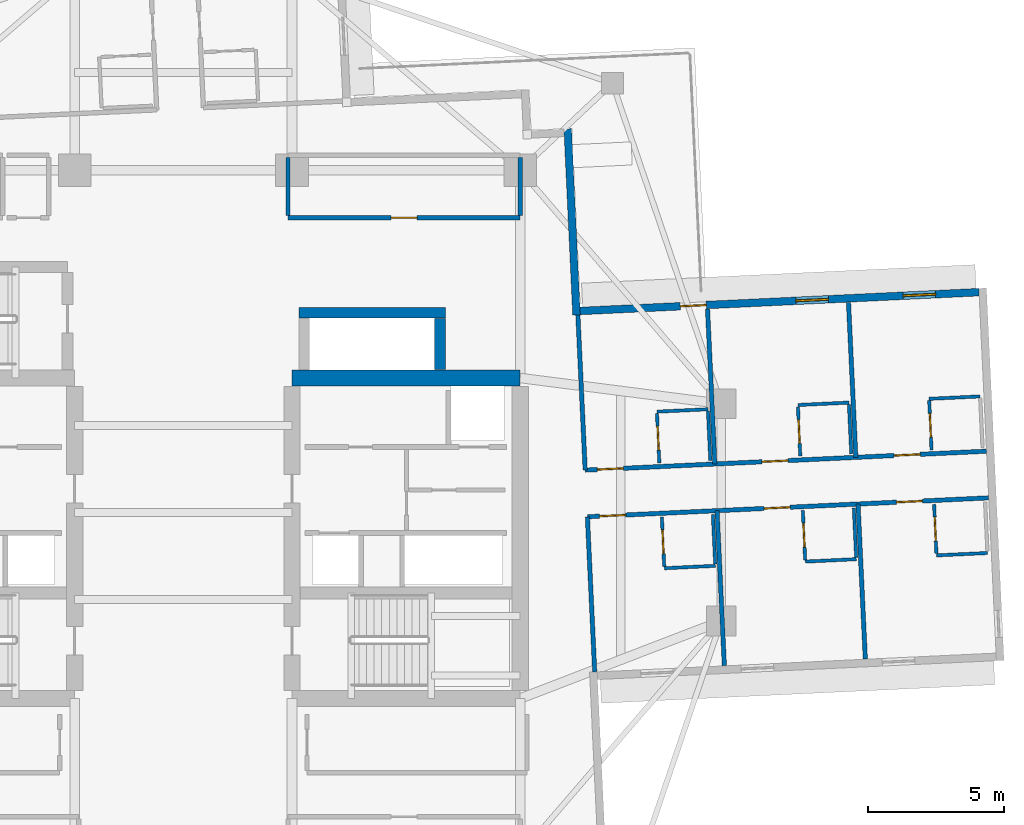
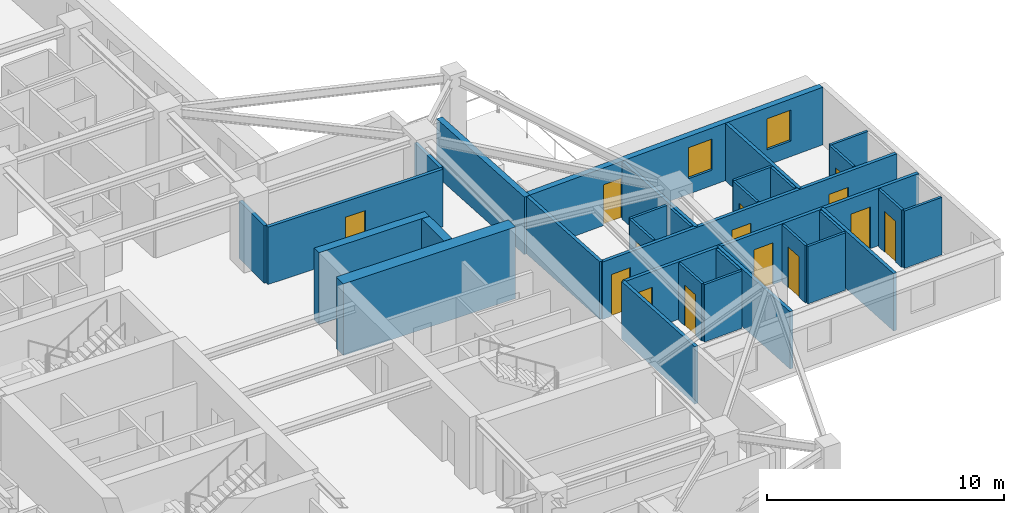
# One storey, part 7 of 14: 32 walls, 14 doors, 2 windows, 16 openings.
"""IFC4 building model written with IfcOpenShell, lengths in metres."""

from ifc_helpers import new_model, si_unit, direction, frame, frame_2d, origin, place, context, subcontext, project, spatial, rectangle, extrude, material, layer, layer_set, type_object, element, fill, save


model = new_model("IFC4")

# Units and contexts
model_context = context("Model", 3, precision=1e-05, world=origin(), true_north=direction((0.0, 1.0)))
body_context = subcontext(model_context, "Body", "Model", "MODEL_VIEW")
ifc_project = project(units=[si_unit("LENGTHUNIT", "METRE"), si_unit("AREAUNIT", "SQUARE_METRE"), si_unit("VOLUMEUNIT", "CUBIC_METRE"), si_unit("PLANEANGLEUNIT", "RADIAN"), si_unit("MASSUNIT", "GRAM", prefix="KILO")], contexts=[model_context])

# Site, building, storey
site_placement = place(None, origin())
site = spatial("IfcSite", under=ifc_project, at=site_placement, CompositionType="ELEMENT")
building_placement = place(site_placement, origin())
building = spatial("IfcBuilding", under=site, at=building_placement, Name="Qingluan Cross Belvedere", CompositionType="ELEMENT")
storey_placement = place(building_placement, frame((0.0, 0.0, 132.0)))
storey = spatial("IfcBuildingStorey", under=building, at=storey_placement, Name="L33", CompositionType="ELEMENT", Elevation=132.0)

# Walls
ifc_material_1 = material(Name="Concrete C50", Category="concrete")
ifc_layer_1 = layer(ifc_material_1, 0.449951171875, Name="CoreShearWall_450")
ifc_layer_set_1 = layer_set([ifc_layer_1], Name="Concrete C50")
wall_type_1 = type_object("IfcWallType", Name="CoreShearWall_450", PredefinedType="SHEAR", material=ifc_layer_set_1)
wall_1_placement = place(storey_placement, frame((4.25, 7.35009765625, 0.0), z_axis=(0.0, 0.0, 1.0), x_axis=(1.0, 0.0, 0.0)))
element("IfcWall", 1, at=wall_1_placement, inside=storey, type_object=wall_type_1, Name="Express shuttle core wall L33-N", PredefinedType="SHEAR", context=body_context, shape_type="SweptSolid", body=[
    extrude(rectangle(XDim=5.39990234375, YDim=0.39990234375, at=frame_2d((2.699951171875, 0.0))), origin(), (0.0, 0.0, 1.0), 3.699951171875),
])
wall_2_placement = place(storey_placement, frame((9.449951171875, 5.2548828125, 0.0), z_axis=(0.0, 0.0, 1.0), x_axis=(0.0, 1.0, 0.0)))
element("IfcWall", 2, at=wall_2_placement, inside=storey, type_object=wall_type_1, Name="Express shuttle core wall L33-E", PredefinedType="SHEAR", context=body_context, shape_type="SweptSolid", body=[
    extrude(rectangle(XDim=1.885009765625, YDim=0.39990234375, at=frame_2d((0.9423828125, 0.0))), origin(), (0.0, 0.0, 1.0), 3.699951171875),
])
ifc_material_2 = material(Name="Concrete C60", Category="concrete")
ifc_layer_2 = layer(ifc_material_2, 0.60009765625, Name="CoreShearWall_600")
ifc_layer_set_2 = layer_set([ifc_layer_2], Name="Concrete C60")
wall_type_2 = type_object("IfcWallType", Name="CoreShearWall_600", PredefinedType="SHEAR", material=ifc_layer_set_2)
wall_3_placement = place(storey_placement, frame((4.0, 4.949951171875, 0.0), z_axis=(0.0, 0.0, 1.0), x_axis=(1.0, 0.0, 0.0)))
element("IfcWall", 3, at=wall_3_placement, inside=storey, type_object=wall_type_2, Name="Split core E shear wall L33-N", PredefinedType="SHEAR", context=body_context, shape_type="SweptSolid", body=[
    extrude(rectangle(XDim=8.39990234375, YDim=0.60009765625, at=frame_2d((4.199951171875, 0.0))), origin(), (0.0, 0.0, 1.0), 3.699951171875),
])

# Wall, opening, door
ifc_material_3 = material(Name="Gypsum plasterboard on steel stud acoustic partition", Category="steel")
ifc_layer_3 = layer(ifc_material_3, 0.159912109375, Name="CorridorPartition_160")
ifc_layer_set_3 = layer_set([ifc_layer_3], Name="Gypsum plasterboard on steel stud acoustic partition")
wall_type_3 = type_object("IfcWallType", Name="CorridorPartition_160", PredefinedType="PARTITIONING", material=ifc_layer_set_3)
wall_4_placement = place(storey_placement, frame((3.85009765625, 10.85009765625, 0.0), z_axis=(0.0, 0.0, 1.0), x_axis=(1.0, 0.0, 0.0)))
wall_4 = element("IfcWall", 4, at=wall_4_placement, inside=storey, type_object=wall_type_3, Name="Partition L33:q_ne:S", PredefinedType="PARTITIONING", context=body_context, shape_type="SweptSolid", body=[
    extrude(rectangle(XDim=8.5498046875, YDim=0.159912109375, at=frame_2d((4.27490234375, 0.0))), origin(), (0.0, 0.0, 1.0), 2.9599609375),
])
opening_1_placement = place(wall_4_placement, frame((3.794921875, 0.0, 0.0)))
opening_1 = element("IfcOpeningElement", 5, at=opening_1_placement, cuts=wall_4, Name="Opening GD-10", PredefinedType="OPENING", context=body_context, shape_type="SweptSolid", body=[
    extrude(rectangle(XDim=0.9599609375, YDim=2.14990234375, at=frame_2d((0.47998046875, 1.074951171875))), frame((0.0, 0.08984375, 0.0), z_axis=(0.0, -1.0, 0.0), x_axis=(1.0, 0.0, 0.0)), (0.0, 0.0, 1.0), 0.179931640625),
])
ifc_material_4 = material(Name="Timber oak fire-rated acoustic guestroom door", Category="wood")
door_type_1 = type_object("IfcDoorType", Name="GuestEntryDoor_FD60", OperationType="NOTDEFINED", PredefinedType="DOOR", material=ifc_material_4)
door_1_placement = place(opening_1_placement, origin())
door_1 = element("IfcDoor", 6, at=door_1_placement, inside=storey, type_object=door_type_1, Name="Pilates movement studio L33 door", OperationType="SINGLE_SWING_LEFT", OverallHeight=2.14990234375, OverallWidth=0.9599609375, PredefinedType="DOOR", context=body_context, shape_type="SweptSolid", body=[
    extrude(rectangle(XDim=0.9599609375, YDim=2.14990234375, at=frame_2d((0.47998046875, 1.074951171875))), frame((0.0, 0.02490234375, 0.0), z_axis=(0.0, -1.0, 0.0), x_axis=(1.0, 0.0, 0.0)), (0.0, 0.0, 1.0), 0.050048828125),
])
fill(opening_1, door_1)

# Walls
for number, where, z_axis, x_axis, name in (
    (7, (3.85009765625, 10.93505859375, 0.0), (0.0, 0.0, 1.0), (0.0, 1.0, 0.0), "Partition L33:q_ne:W"),
    (8, (12.39990234375, 10.93505859375, 0.0), (0.0, 0.0, 1.0), (0.0, 1.0, 0.0), "Partition L33:q_ne:E"),
):
    element("IfcWall", number, at=place(storey_placement, frame(where, z_axis=z_axis, x_axis=x_axis)), inside=storey, type_object=wall_type_3, Name=name, PredefinedType="PARTITIONING", context=body_context, shape_type="SweptSolid", body=[
        extrude(rectangle(XDim=2.1298828125, YDim=0.159912109375, at=frame_2d((1.06494140625, 0.0))), origin(), (0.0, 0.0, 1.0), 2.9599609375),
    ])

# Wall, openings, doors
wall_5_placement = place(storey_placement, frame((14.79296875, 1.55859375, 0.0), z_axis=(0.0, 0.0, 1.0), x_axis=(0.99889000272, 0.04710374153, 0.0)))
wall_5 = element("IfcWall", 9, at=wall_5_placement, inside=storey, type_object=wall_type_3, Name="Partition L33:E:c0", PredefinedType="PARTITIONING", context=body_context, shape_type="SweptSolid", body=[
    extrude(rectangle(XDim=14.781982421875, YDim=0.159912109375, at=frame_2d((7.39111328125, 0.0))), origin(), (0.0, 0.0, 1.0), 2.9599609375),
])
opening_2_placement = place(wall_5_placement, frame((0.449951171875, 0.0, 0.0)))
opening_2 = element("IfcOpeningElement", 10, at=opening_2_placement, cuts=wall_5, Name="Opening GD-10", PredefinedType="OPENING", context=body_context, shape_type="SweptSolid", body=[
    extrude(rectangle(XDim=0.9599609375, YDim=2.14990234375, at=frame_2d((0.47998046875, 1.074951171875))), frame((0.0, 0.08984375, 0.0), z_axis=(0.0, -1.0, 0.0), x_axis=(1.0, 0.0, 0.0)), (0.0, 0.0, 1.0), 0.179931640625),
])
opening_3_placement = place(wall_5_placement, frame((6.513916015625, 0.0, 0.0)))
opening_3 = element("IfcOpeningElement", 11, at=opening_3_placement, cuts=wall_5, Name="Opening GD-10", PredefinedType="OPENING", context=body_context, shape_type="SweptSolid", body=[
    extrude(rectangle(XDim=0.9599609375, YDim=2.14990234375, at=frame_2d((0.47998046875, 1.074951171875))), frame((0.0, 0.08984375, 0.0), z_axis=(0.0, -1.0, 0.0), x_axis=(1.0, 0.0, 0.0)), (0.0, 0.0, 1.0), 0.179931640625),
])
opening_4_placement = place(wall_5_placement, frame((11.385986328125, 0.0, 0.0)))
opening_4 = element("IfcOpeningElement", 12, at=opening_4_placement, cuts=wall_5, Name="Opening GD-10", PredefinedType="OPENING", context=body_context, shape_type="SweptSolid", body=[
    extrude(rectangle(XDim=0.9599609375, YDim=2.14990234375, at=frame_2d((0.47998046875, 1.074951171875))), frame((0.0, 0.08984375, 0.0), z_axis=(0.0, -1.0, 0.0), x_axis=(1.0, 0.0, 0.0)), (0.0, 0.0, 1.0), 0.179931640625),
])
door_2_placement = place(opening_2_placement, origin())
door_2 = element("IfcDoor", 13, at=door_2_placement, inside=storey, type_object=door_type_1, Name="Guest entry fire door 3301", OperationType="SINGLE_SWING_RIGHT", OverallHeight=2.14990234375, OverallWidth=0.9599609375, PredefinedType="DOOR", context=body_context, shape_type="SweptSolid", body=[
    extrude(rectangle(XDim=0.9599609375, YDim=2.14990234375, at=frame_2d((0.47998046875, 1.074951171875))), frame((0.0, 0.02490234375, 0.0), z_axis=(0.0, -1.0, 0.0), x_axis=(1.0, 0.0, 0.0)), (0.0, 0.0, 1.0), 0.050048828125),
])
fill(opening_2, door_2)
door_3_placement = place(opening_3_placement, origin())
door_3 = element("IfcDoor", 14, at=door_3_placement, inside=storey, type_object=door_type_1, Name="Guest entry fire door 3302", OperationType="SINGLE_SWING_RIGHT", OverallHeight=2.14990234375, OverallWidth=0.9599609375, PredefinedType="DOOR", context=body_context, shape_type="SweptSolid", body=[
    extrude(rectangle(XDim=0.9599609375, YDim=2.14990234375, at=frame_2d((0.47998046875, 1.074951171875))), frame((0.0, 0.02490234375, 0.0), z_axis=(0.0, -1.0, 0.0), x_axis=(1.0, 0.0, 0.0)), (0.0, 0.0, 1.0), 0.050048828125),
])
fill(opening_3, door_3)
door_4_placement = place(opening_4_placement, origin())
door_4 = element("IfcDoor", 15, at=door_4_placement, inside=storey, type_object=door_type_1, Name="Guest entry fire door 3303", OperationType="SINGLE_SWING_RIGHT", OverallHeight=2.14990234375, OverallWidth=0.9599609375, PredefinedType="DOOR", context=body_context, shape_type="SweptSolid", body=[
    extrude(rectangle(XDim=0.9599609375, YDim=2.14990234375, at=frame_2d((0.47998046875, 1.074951171875))), frame((0.0, 0.02490234375, 0.0), z_axis=(0.0, -1.0, 0.0), x_axis=(1.0, 0.0, 0.0)), (0.0, 0.0, 1.0), 0.050048828125),
])
fill(opening_4, door_4)

# Walls
wall_6_placement = place(storey_placement, frame((14.79296875, 1.55859375, 0.0), z_axis=(0.0, 0.0, 1.0), x_axis=(-0.047100122846, 0.998890173356, 0.0)))
element("IfcWall", 16, at=wall_6_placement, inside=storey, type_object=wall_type_3, Name="Partition L33:E:s0", PredefinedType="PARTITIONING", context=body_context, shape_type="SweptSolid", body=[
    extrude(rectangle(XDim=5.712158203125, YDim=0.159912109375, at=frame_2d((2.85595703125, 0.0))), origin(), (0.0, 0.0, 1.0), 2.9599609375),
])
for number, where, z_axis, x_axis, name in (
    (17, (19.565673828125, 1.78369140625, 0.0), (0.0, 0.0, 1.0), (-0.047102133785, 0.998890078534, 0.0), "Partition L33:E:d0_0"),
    (18, (24.7548828125, 2.0283203125, 0.0), (0.0, 0.0, 1.0), (-0.047102133785, 0.998890078534, 0.0), "Partition L33:E:d0_1"),
):
    element("IfcWall", number, at=place(storey_placement, frame(where, z_axis=z_axis, x_axis=x_axis)), inside=storey, type_object=wall_type_3, Name=name, PredefinedType="PARTITIONING", context=body_context, shape_type="SweptSolid", body=[
        extrude(rectangle(XDim=5.7119140625, YDim=0.159912109375, at=frame_2d((2.85595703125, 0.0))), origin(), (0.0, 0.0, 1.0), 2.9599609375),
    ])

# Wall, openings, doors
wall_7_placement = place(storey_placement, frame((14.8740234375, -0.159423828125, 0.0), z_axis=(0.0, 0.0, 1.0), x_axis=(0.99889000272, 0.04710374153, 0.0)))
wall_7 = element("IfcWall", 19, at=wall_7_placement, inside=storey, type_object=wall_type_3, Name="Partition L33:E:c1", PredefinedType="PARTITIONING", context=body_context, shape_type="SweptSolid", body=[
    extrude(rectangle(XDim=14.781982421875, YDim=0.159912109375, at=frame_2d((7.39111328125, 0.0))), origin(), (0.0, 0.0, 1.0), 2.9599609375),
])
opening_5_placement = place(wall_7_placement, frame((0.449951171875, 0.0, 0.0)))
opening_5 = element("IfcOpeningElement", 20, at=opening_5_placement, cuts=wall_7, Name="Opening GD-10", PredefinedType="OPENING", context=body_context, shape_type="SweptSolid", body=[
    extrude(rectangle(XDim=0.9599609375, YDim=2.14990234375, at=frame_2d((0.47998046875, 1.074951171875))), frame((0.0, 0.08984375, 0.0), z_axis=(0.0, -1.0, 0.0), x_axis=(1.0, 0.0, 0.0)), (0.0, 0.0, 1.0), 0.179931640625),
])
opening_6_placement = place(wall_7_placement, frame((6.513916015625, 0.0, 0.0)))
opening_6 = element("IfcOpeningElement", 21, at=opening_6_placement, cuts=wall_7, Name="Opening GD-10", PredefinedType="OPENING", context=body_context, shape_type="SweptSolid", body=[
    extrude(rectangle(XDim=0.9599609375, YDim=2.14990234375, at=frame_2d((0.47998046875, 1.074951171875))), frame((0.0, 0.08984375, 0.0), z_axis=(0.0, -1.0, 0.0), x_axis=(1.0, 0.0, 0.0)), (0.0, 0.0, 1.0), 0.179931640625),
])
opening_7_placement = place(wall_7_placement, frame((11.385986328125, 0.0, 0.0)))
opening_7 = element("IfcOpeningElement", 22, at=opening_7_placement, cuts=wall_7, Name="Opening GD-10", PredefinedType="OPENING", context=body_context, shape_type="SweptSolid", body=[
    extrude(rectangle(XDim=0.9599609375, YDim=2.14990234375, at=frame_2d((0.47998046875, 1.074951171875))), frame((0.0, 0.08984375, 0.0), z_axis=(0.0, -1.0, 0.0), x_axis=(1.0, 0.0, 0.0)), (0.0, 0.0, 1.0), 0.179931640625),
])
door_5_placement = place(opening_5_placement, origin())
door_5 = element("IfcDoor", 23, at=door_5_placement, inside=storey, type_object=door_type_1, Name="Guest entry fire door 3304", OperationType="SINGLE_SWING_RIGHT", OverallHeight=2.14990234375, OverallWidth=0.9599609375, PredefinedType="DOOR", context=body_context, shape_type="SweptSolid", body=[
    extrude(rectangle(XDim=0.9599609375, YDim=2.14990234375, at=frame_2d((0.47998046875, 1.074951171875))), frame((0.0, 0.02490234375, 0.0), z_axis=(0.0, -1.0, 0.0), x_axis=(1.0, 0.0, 0.0)), (0.0, 0.0, 1.0), 0.050048828125),
])
fill(opening_5, door_5)
door_6_placement = place(opening_6_placement, origin())
door_6 = element("IfcDoor", 24, at=door_6_placement, inside=storey, type_object=door_type_1, Name="Guest entry fire door 3305", OperationType="SINGLE_SWING_RIGHT", OverallHeight=2.14990234375, OverallWidth=0.9599609375, PredefinedType="DOOR", context=body_context, shape_type="SweptSolid", body=[
    extrude(rectangle(XDim=0.9599609375, YDim=2.14990234375, at=frame_2d((0.47998046875, 1.074951171875))), frame((0.0, 0.02490234375, 0.0), z_axis=(0.0, -1.0, 0.0), x_axis=(1.0, 0.0, 0.0)), (0.0, 0.0, 1.0), 0.050048828125),
])
fill(opening_6, door_6)
door_7_placement = place(opening_7_placement, origin())
door_7 = element("IfcDoor", 25, at=door_7_placement, inside=storey, type_object=door_type_1, Name="Guest entry fire door 3306", OperationType="SINGLE_SWING_RIGHT", OverallHeight=2.14990234375, OverallWidth=0.9599609375, PredefinedType="DOOR", context=body_context, shape_type="SweptSolid", body=[
    extrude(rectangle(XDim=0.9599609375, YDim=2.14990234375, at=frame_2d((0.47998046875, 1.074951171875))), frame((0.0, 0.02490234375, 0.0), z_axis=(0.0, -1.0, 0.0), x_axis=(1.0, 0.0, 0.0)), (0.0, 0.0, 1.0), 0.050048828125),
])
fill(opening_7, door_7)

# Walls
for number, where, z_axis, x_axis, name in (
    (26, (14.8740234375, -0.159423828125, 0.0), (0.0, 0.0, 1.0), (0.047100122846, -0.998890173356, 0.0), "Partition L33:E:s1"),
    (27, (19.646728515625, 0.065673828125, 0.0), (0.0, 0.0, 1.0), (0.047100122846, -0.998890173356, 0.0), "Partition L33:E:d1_0"),
    (28, (24.8359375, 0.310302734375, 0.0), (0.0, 0.0, 1.0), (0.047100122846, -0.998890173356, 0.0), "Partition L33:E:d1_1"),
):
    element("IfcWall", number, at=place(storey_placement, frame(where, z_axis=z_axis, x_axis=x_axis)), inside=storey, type_object=wall_type_3, Name=name, PredefinedType="PARTITIONING", context=body_context, shape_type="SweptSolid", body=[
        extrude(rectangle(XDim=5.712158203125, YDim=0.159912109375, at=frame_2d((2.85595703125, 0.0))), origin(), (0.0, 0.0, 1.0), 2.9599609375),
    ])

# Wall, opening, door
ifc_material_5 = material(Name="Moisture-resistant gypsum board lining")
ifc_layer_4 = layer(ifc_material_5, 0.1201171875, Name="EnsuiteWetPartition_120")
ifc_layer_set_4 = layer_set([ifc_layer_4], Name="Moisture-resistant gypsum board lining")
wall_type_4 = type_object("IfcWallType", Name="EnsuiteWetPartition_120", PredefinedType="PARTITIONING", material=ifc_layer_set_4)
wall_8_placement = place(storey_placement, frame((17.521484375, 1.827392578125, 0.0), z_axis=(0.0, 0.0, 1.0), x_axis=(-0.047214641863, 0.998884766924, 0.0)))
wall_8 = element("IfcWall", 29, at=wall_8_placement, inside=storey, type_object=wall_type_4, Name="Partition L33:E:bs0_0", PredefinedType="PARTITIONING", context=body_context, shape_type="SweptSolid", body=[
    extrude(rectangle(XDim=1.820068359375, YDim=0.1201171875, at=frame_2d((0.91015625, 0.0))), origin(), (0.0, 0.0, 1.0), 2.9599609375),
])
opening_8_placement = place(wall_8_placement, frame((0.469970703125, 0.0, 0.0)))
opening_8 = element("IfcOpeningElement", 30, at=opening_8_placement, cuts=wall_8, Name="Opening BD-09", PredefinedType="OPENING", context=body_context, shape_type="SweptSolid", body=[
    extrude(rectangle(XDim=0.8798828125, YDim=2.10009765625, at=frame_2d((0.43994140625, 1.050048828125))), frame((0.0, 0.070068359375, 0.0), z_axis=(0.0, -1.0, 0.0), x_axis=(1.0, 0.0, 0.0)), (0.0, 0.0, 1.0), 0.14013671875),
])
ifc_material_6 = material(Name="Moisture-sealed timber en-suite door", Category="wood")
door_type_2 = type_object("IfcDoorType", Name="BathroomDoor_880", OperationType="NOTDEFINED", PredefinedType="DOOR", material=ifc_material_6)
door_8_placement = place(opening_8_placement, origin())
door_8 = element("IfcDoor", 31, at=door_8_placement, inside=storey, type_object=door_type_2, Name="Bathroom door 3301", OperationType="SINGLE_SWING_LEFT", OverallHeight=2.10009765625, OverallWidth=0.8798828125, PredefinedType="DOOR", context=body_context, shape_type="SweptSolid", body=[
    extrude(rectangle(XDim=0.8798828125, YDim=2.10009765625, at=frame_2d((0.43994140625, 1.050048828125))), frame((0.0, 0.02490234375, 0.0), z_axis=(0.0, -1.0, 0.0), x_axis=(1.0, 0.0, 0.0)), (0.0, 0.0, 1.0), 0.050048828125),
])
fill(opening_8, door_8)

# Walls
wall_9_placement = place(storey_placement, frame((19.3994140625, 1.916015625, 0.0), z_axis=(0.0, 0.0, 1.0), x_axis=(-0.047220968666, 0.998884467853, 0.0)))
element("IfcWall", 32, at=wall_9_placement, inside=storey, type_object=wall_type_4, Name="Partition L33:E:bw0_0", PredefinedType="PARTITIONING", context=body_context, shape_type="SweptSolid", body=[
    extrude(rectangle(XDim=1.81982421875, YDim=0.1201171875, at=frame_2d((0.909912109375, 0.0))), origin(), (0.0, 0.0, 1.0), 2.9599609375),
])
wall_10_placement = place(storey_placement, frame((17.4326171875, 3.710205078125, 0.0), z_axis=(0.0, 0.0, 1.0), x_axis=(0.998888319371, 0.047139425368, 0.0)))
element("IfcWall", 33, at=wall_10_placement, inside=storey, type_object=wall_type_4, Name="Partition L33:E:bn0_0", PredefinedType="PARTITIONING", context=body_context, shape_type="SweptSolid", body=[
    extrude(rectangle(XDim=1.880126953125, YDim=0.1201171875, at=frame_2d((0.93994140625, 0.0))), origin(), (0.0, 0.0, 1.0), 2.9599609375),
])

# Wall, opening, door
wall_11_placement = place(storey_placement, frame((22.710693359375, 2.072021484375, 0.0), z_axis=(0.0, 0.0, 1.0), x_axis=(-0.047080807099, 0.998891083954, 0.0)))
wall_11 = element("IfcWall", 34, at=wall_11_placement, inside=storey, type_object=wall_type_4, Name="Partition L33:E:bs0_1", PredefinedType="PARTITIONING", context=body_context, shape_type="SweptSolid", body=[
    extrude(rectangle(XDim=1.820068359375, YDim=0.1201171875, at=frame_2d((0.91015625, 0.0))), origin(), (0.0, 0.0, 1.0), 2.9599609375),
])
opening_9_placement = place(wall_11_placement, frame((0.469970703125, 0.0, 0.0)))
opening_9 = element("IfcOpeningElement", 35, at=opening_9_placement, cuts=wall_11, Name="Opening BD-09", PredefinedType="OPENING", context=body_context, shape_type="SweptSolid", body=[
    extrude(rectangle(XDim=0.8798828125, YDim=2.10009765625, at=frame_2d((0.43994140625, 1.050048828125))), frame((0.0, 0.070068359375, 0.0), z_axis=(0.0, -1.0, 0.0), x_axis=(1.0, 0.0, 0.0)), (0.0, 0.0, 1.0), 0.14013671875),
])
door_9_placement = place(opening_9_placement, origin())
door_9 = element("IfcDoor", 36, at=door_9_placement, inside=storey, type_object=door_type_2, Name="Bathroom door 3302", OperationType="SINGLE_SWING_LEFT", OverallHeight=2.10009765625, OverallWidth=0.8798828125, PredefinedType="DOOR", context=body_context, shape_type="SweptSolid", body=[
    extrude(rectangle(XDim=0.8798828125, YDim=2.10009765625, at=frame_2d((0.43994140625, 1.050048828125))), frame((0.0, 0.02490234375, 0.0), z_axis=(0.0, -1.0, 0.0), x_axis=(1.0, 0.0, 0.0)), (0.0, 0.0, 1.0), 0.050048828125),
])
fill(opening_9, door_9)

# Walls
wall_12_placement = place(storey_placement, frame((24.58837890625, 2.16064453125, 0.0), z_axis=(0.0, 0.0, 1.0), x_axis=(-0.047080807099, 0.998891083954, 0.0)))
element("IfcWall", 37, at=wall_12_placement, inside=storey, type_object=wall_type_4, Name="Partition L33:E:bw0_1", PredefinedType="PARTITIONING", context=body_context, shape_type="SweptSolid", body=[
    extrude(rectangle(XDim=1.820068359375, YDim=0.1201171875, at=frame_2d((0.91015625, 0.0))), origin(), (0.0, 0.0, 1.0), 2.9599609375),
])
wall_13_placement = place(storey_placement, frame((22.621826171875, 3.955078125, 0.0), z_axis=(0.0, 0.0, 1.0), x_axis=(0.998888319371, 0.047139425368, 0.0)))
element("IfcWall", 38, at=wall_13_placement, inside=storey, type_object=wall_type_4, Name="Partition L33:E:bn0_1", PredefinedType="PARTITIONING", context=body_context, shape_type="SweptSolid", body=[
    extrude(rectangle(XDim=1.880126953125, YDim=0.1201171875, at=frame_2d((0.93994140625, 0.0))), origin(), (0.0, 0.0, 1.0), 2.9599609375),
])

# Wall, opening, door
wall_14_placement = place(storey_placement, frame((27.542236328125, 2.300048828125, 0.0), z_axis=(0.0, 0.0, 1.0), x_axis=(-0.047087116047, 0.998890786574, 0.0)))
wall_14 = element("IfcWall", 39, at=wall_14_placement, inside=storey, type_object=wall_type_4, Name="Partition L33:E:bs0_2", PredefinedType="PARTITIONING", context=body_context, shape_type="SweptSolid", body=[
    extrude(rectangle(XDim=1.81982421875, YDim=0.1201171875, at=frame_2d((0.909912109375, 0.0))), origin(), (0.0, 0.0, 1.0), 2.9599609375),
])
opening_10_placement = place(wall_14_placement, frame((0.469970703125, 0.0, 0.0)))
opening_10 = element("IfcOpeningElement", 40, at=opening_10_placement, cuts=wall_14, Name="Opening BD-09", PredefinedType="OPENING", context=body_context, shape_type="SweptSolid", body=[
    extrude(rectangle(XDim=0.8798828125, YDim=2.10009765625, at=frame_2d((0.43994140625, 1.050048828125))), frame((0.0, 0.070068359375, 0.0), z_axis=(0.0, -1.0, 0.0), x_axis=(1.0, 0.0, 0.0)), (0.0, 0.0, 1.0), 0.14013671875),
])
door_10_placement = place(opening_10_placement, origin())
door_10 = element("IfcDoor", 41, at=door_10_placement, inside=storey, type_object=door_type_2, Name="Bathroom door 3303", OperationType="SINGLE_SWING_LEFT", OverallHeight=2.10009765625, OverallWidth=0.8798828125, PredefinedType="DOOR", context=body_context, shape_type="SweptSolid", body=[
    extrude(rectangle(XDim=0.8798828125, YDim=2.10009765625, at=frame_2d((0.43994140625, 1.050048828125))), frame((0.0, 0.02490234375, 0.0), z_axis=(0.0, -1.0, 0.0), x_axis=(1.0, 0.0, 0.0)), (0.0, 0.0, 1.0), 0.050048828125),
])
fill(opening_10, door_10)

# Wall
wall_15_placement = place(storey_placement, frame((27.453369140625, 4.182861328125, 0.0), z_axis=(0.0, 0.0, 1.0), x_axis=(0.998888319371, 0.047139425368, 0.0)))
element("IfcWall", 42, at=wall_15_placement, inside=storey, type_object=wall_type_4, Name="Partition L33:E:bn0_2", PredefinedType="PARTITIONING", context=body_context, shape_type="SweptSolid", body=[
    extrude(rectangle(XDim=1.880126953125, YDim=0.1201171875, at=frame_2d((0.93994140625, 0.0))), origin(), (0.0, 0.0, 1.0), 2.9599609375),
])

# Wall, opening, door
wall_16_placement = place(storey_placement, frame((17.701416015625, -1.98828125, 0.0), z_axis=(0.0, 0.0, 1.0), x_axis=(-0.047220968666, 0.998884467853, 0.0)))
wall_16 = element("IfcWall", 43, at=wall_16_placement, inside=storey, type_object=wall_type_4, Name="Partition L33:E:bs1_0", PredefinedType="PARTITIONING", context=body_context, shape_type="SweptSolid", body=[
    extrude(rectangle(XDim=1.81982421875, YDim=0.1201171875, at=frame_2d((0.909912109375, 0.0))), origin(), (0.0, 0.0, 1.0), 2.9599609375),
])
opening_11_placement = place(wall_16_placement, frame((0.469970703125, 0.0, 0.0)))
opening_11 = element("IfcOpeningElement", 44, at=opening_11_placement, cuts=wall_16, Name="Opening BD-09", PredefinedType="OPENING", context=body_context, shape_type="SweptSolid", body=[
    extrude(rectangle(XDim=0.8798828125, YDim=2.10009765625, at=frame_2d((0.43994140625, 1.050048828125))), frame((0.0, 0.070068359375, 0.0), z_axis=(0.0, -1.0, 0.0), x_axis=(1.0, 0.0, 0.0)), (0.0, 0.0, 1.0), 0.14013671875),
])
door_11_placement = place(opening_11_placement, origin())
door_11 = element("IfcDoor", 45, at=door_11_placement, inside=storey, type_object=door_type_2, Name="Bathroom door 3304", OperationType="SINGLE_SWING_LEFT", OverallHeight=2.10009765625, OverallWidth=0.8798828125, PredefinedType="DOOR", context=body_context, shape_type="SweptSolid", body=[
    extrude(rectangle(XDim=0.8798828125, YDim=2.10009765625, at=frame_2d((0.43994140625, 1.050048828125))), frame((0.0, 0.02490234375, 0.0), z_axis=(0.0, -1.0, 0.0), x_axis=(1.0, 0.0, 0.0)), (0.0, 0.0, 1.0), 0.050048828125),
])
fill(opening_11, door_11)

# Walls
wall_17_placement = place(storey_placement, frame((19.5791015625, -1.89990234375, 0.0), z_axis=(0.0, 0.0, 1.0), x_axis=(-0.047080807099, 0.998891083954, 0.0)))
element("IfcWall", 46, at=wall_17_placement, inside=storey, type_object=wall_type_4, Name="Partition L33:E:bw1_0", PredefinedType="PARTITIONING", context=body_context, shape_type="SweptSolid", body=[
    extrude(rectangle(XDim=1.820068359375, YDim=0.1201171875, at=frame_2d((0.91015625, 0.0))), origin(), (0.0, 0.0, 1.0), 2.9599609375),
])
wall_18_placement = place(storey_placement, frame((17.704345703125, -2.05322265625, 0.0), z_axis=(0.0, 0.0, 1.0), x_axis=(0.998888319371, 0.047139425368, 0.0)))
element("IfcWall", 47, at=wall_18_placement, inside=storey, type_object=wall_type_4, Name="Partition L33:E:bc1_0", PredefinedType="PARTITIONING", context=body_context, shape_type="SweptSolid", body=[
    extrude(rectangle(XDim=1.880126953125, YDim=0.1201171875, at=frame_2d((0.93994140625, 0.0))), origin(), (0.0, 0.0, 1.0), 2.9599609375),
])

# Wall, opening, door
wall_19_placement = place(storey_placement, frame((22.890380859375, -1.74365234375, 0.0), z_axis=(0.0, 0.0, 1.0), x_axis=(-0.047087116047, 0.998890786574, 0.0)))
wall_19 = element("IfcWall", 48, at=wall_19_placement, inside=storey, type_object=wall_type_4, Name="Partition L33:E:bs1_1", PredefinedType="PARTITIONING", context=body_context, shape_type="SweptSolid", body=[
    extrude(rectangle(XDim=1.81982421875, YDim=0.1201171875, at=frame_2d((0.909912109375, 0.0))), origin(), (0.0, 0.0, 1.0), 2.9599609375),
])
opening_12_placement = place(wall_19_placement, frame((0.469970703125, 0.0, 0.0)))
opening_12 = element("IfcOpeningElement", 49, at=opening_12_placement, cuts=wall_19, Name="Opening BD-09", PredefinedType="OPENING", context=body_context, shape_type="SweptSolid", body=[
    extrude(rectangle(XDim=0.8798828125, YDim=2.10009765625, at=frame_2d((0.43994140625, 1.050048828125))), frame((0.0, 0.070068359375, 0.0), z_axis=(0.0, -1.0, 0.0), x_axis=(1.0, 0.0, 0.0)), (0.0, 0.0, 1.0), 0.14013671875),
])
door_12_placement = place(opening_12_placement, origin())
door_12 = element("IfcDoor", 50, at=door_12_placement, inside=storey, type_object=door_type_2, Name="Bathroom door 3305", OperationType="SINGLE_SWING_LEFT", OverallHeight=2.10009765625, OverallWidth=0.8798828125, PredefinedType="DOOR", context=body_context, shape_type="SweptSolid", body=[
    extrude(rectangle(XDim=0.8798828125, YDim=2.10009765625, at=frame_2d((0.43994140625, 1.050048828125))), frame((0.0, 0.02490234375, 0.0), z_axis=(0.0, -1.0, 0.0), x_axis=(1.0, 0.0, 0.0)), (0.0, 0.0, 1.0), 0.050048828125),
])
fill(opening_12, door_12)

# Walls
wall_20_placement = place(storey_placement, frame((24.7685546875, -1.655029296875, 0.0), z_axis=(0.0, 0.0, 1.0), x_axis=(-0.047220968666, 0.998884467853, 0.0)))
element("IfcWall", 51, at=wall_20_placement, inside=storey, type_object=wall_type_4, Name="Partition L33:E:bw1_1", PredefinedType="PARTITIONING", context=body_context, shape_type="SweptSolid", body=[
    extrude(rectangle(XDim=1.81982421875, YDim=0.1201171875, at=frame_2d((0.909912109375, 0.0))), origin(), (0.0, 0.0, 1.0), 2.9599609375),
])
wall_21_placement = place(storey_placement, frame((22.8935546875, -1.80859375, 0.0), z_axis=(0.0, 0.0, 1.0), x_axis=(0.998888319371, 0.047139425368, 0.0)))
element("IfcWall", 52, at=wall_21_placement, inside=storey, type_object=wall_type_4, Name="Partition L33:E:bc1_1", PredefinedType="PARTITIONING", context=body_context, shape_type="SweptSolid", body=[
    extrude(rectangle(XDim=1.880126953125, YDim=0.1201171875, at=frame_2d((0.93994140625, 0.0))), origin(), (0.0, 0.0, 1.0), 2.9599609375),
])

# Wall, opening, door
wall_22_placement = place(storey_placement, frame((27.72216796875, -1.515869140625, 0.0), z_axis=(0.0, 0.0, 1.0), x_axis=(-0.047080807099, 0.998891083954, 0.0)))
wall_22 = element("IfcWall", 53, at=wall_22_placement, inside=storey, type_object=wall_type_4, Name="Partition L33:E:bs1_2", PredefinedType="PARTITIONING", context=body_context, shape_type="SweptSolid", body=[
    extrude(rectangle(XDim=1.820068359375, YDim=0.1201171875, at=frame_2d((0.91015625, 0.0))), origin(), (0.0, 0.0, 1.0), 2.9599609375),
])
opening_13_placement = place(wall_22_placement, frame((0.469970703125, 0.0, 0.0)))
opening_13 = element("IfcOpeningElement", 54, at=opening_13_placement, cuts=wall_22, Name="Opening BD-09", PredefinedType="OPENING", context=body_context, shape_type="SweptSolid", body=[
    extrude(rectangle(XDim=0.8798828125, YDim=2.10009765625, at=frame_2d((0.43994140625, 1.050048828125))), frame((0.0, 0.070068359375, 0.0), z_axis=(0.0, -1.0, 0.0), x_axis=(1.0, 0.0, 0.0)), (0.0, 0.0, 1.0), 0.14013671875),
])
door_13_placement = place(opening_13_placement, origin())
door_13 = element("IfcDoor", 55, at=door_13_placement, inside=storey, type_object=door_type_2, Name="Bathroom door 3306", OperationType="SINGLE_SWING_LEFT", OverallHeight=2.10009765625, OverallWidth=0.8798828125, PredefinedType="DOOR", context=body_context, shape_type="SweptSolid", body=[
    extrude(rectangle(XDim=0.8798828125, YDim=2.10009765625, at=frame_2d((0.43994140625, 1.050048828125))), frame((0.0, 0.02490234375, 0.0), z_axis=(0.0, -1.0, 0.0), x_axis=(1.0, 0.0, 0.0)), (0.0, 0.0, 1.0), 0.050048828125),
])
fill(opening_13, door_13)

# Wall
wall_23_placement = place(storey_placement, frame((27.72509765625, -1.580810546875, 0.0), z_axis=(0.0, 0.0, 1.0), x_axis=(0.998888607882, 0.047133311408, 0.0)))
element("IfcWall", 56, at=wall_23_placement, inside=storey, type_object=wall_type_4, Name="Partition L33:E:bc1_2", PredefinedType="PARTITIONING", context=body_context, shape_type="SweptSolid", body=[
    extrude(rectangle(XDim=1.88037109375, YDim=0.1201171875, at=frame_2d((0.940185546875, 0.0))), origin(), (0.0, 0.0, 1.0), 2.9599609375),
])

# Wall, openings, windows, door
ifc_material_7 = material(Name="Precast concrete C45", Category="concrete")
ifc_layer_5 = layer(ifc_material_7, 0.280029296875, Name="PrecastFacadeWall_280")
ifc_layer_set_5 = layer_set([ifc_layer_5], Name="Precast concrete C45")
wall_type_5 = type_object("IfcWallType", Name="PrecastFacadeWall_280", PredefinedType="STANDARD", material=ifc_layer_set_5)
wall_24_placement = place(storey_placement, frame((29.29052734375, 8.10888671875, 0.0), z_axis=(0.0, 0.0, 1.0), x_axis=(-0.998889342735, -0.047117735191, 0.0)))
wall_24 = element("IfcWall", 57, at=wall_24_placement, inside=storey, type_object=wall_type_5, Name="Facade wall L33-EB", PredefinedType="STANDARD", context=body_context, shape_type="SweptSolid", body=[
    extrude(rectangle(XDim=14.699951171875, YDim=0.280029296875, at=frame_2d((7.35009765625, 0.0))), origin(), (0.0, 0.0, 1.0), 2.969970703125),
])
opening_14_placement = place(wall_24_placement, frame((1.60009765625, 0.0, 0.800048828125)))
opening_14 = element("IfcOpeningElement", 58, at=opening_14_placement, cuts=wall_24, Name="Opening W-02", PredefinedType="OPENING", context=body_context, shape_type="SweptSolid", body=[
    extrude(rectangle(XDim=1.199951171875, YDim=1.60009765625, at=frame_2d((0.60009765625, 0.800048828125))), frame((0.0, 0.14990234375, 0.0), z_axis=(0.0, -1.0, 0.0), x_axis=(1.0, 0.0, 0.0)), (0.0, 0.0, 1.0), 0.300048828125),
])
opening_15_placement = place(wall_24_placement, frame((5.550048828125, 0.0, 0.800048828125)))
opening_15 = element("IfcOpeningElement", 59, at=opening_15_placement, cuts=wall_24, Name="Opening W-02", PredefinedType="OPENING", context=body_context, shape_type="SweptSolid", body=[
    extrude(rectangle(XDim=1.199951171875, YDim=1.60009765625, at=frame_2d((0.60009765625, 0.800048828125))), frame((0.0, 0.14990234375, 0.0), z_axis=(0.0, -1.0, 0.0), x_axis=(1.0, 0.0, 0.0)), (0.0, 0.0, 1.0), 0.300048828125),
])
opening_16_placement = place(wall_24_placement, frame((10.050048828125, 0.0, 0.0)))
opening_16 = element("IfcOpeningElement", 60, at=opening_16_placement, cuts=wall_24, Name="Opening WD-10", PredefinedType="OPENING", context=body_context, shape_type="SweptSolid", body=[
    extrude(rectangle(XDim=0.9599609375, YDim=2.10009765625, at=frame_2d((0.47998046875, 1.050048828125))), frame((0.0, 0.14990234375, 0.0), z_axis=(0.0, -1.0, 0.0), x_axis=(1.0, 0.0, 0.0)), (0.0, 0.0, 1.0), 0.300048828125),
])
ifc_material_8 = material(Name="Thermally broken triple Low-E glass in aluminium frame", Category="aluminium")
window_type = type_object("IfcWindowType", Name="TriRibbonWin_1200x1600", PartitioningType="SINGLE_PANEL", PredefinedType="WINDOW", material=ifc_material_8)
window_1_placement = place(opening_14_placement, origin())
window_1 = element("IfcWindow", 61, at=window_1_placement, inside=storey, type_object=window_type, Name="Ribbon window L33-EB-1", OverallHeight=1.60009765625, OverallWidth=1.199951171875, PartitioningType="SINGLE_PANEL", PredefinedType="WINDOW", context=body_context, shape_type="SweptSolid", body=[
    extrude(rectangle(XDim=1.199951171875, YDim=1.60009765625, at=frame_2d((0.60009765625, 0.800048828125))), frame((0.0, 0.030029296875, 0.0), z_axis=(0.0, -1.0, 0.0), x_axis=(1.0, 0.0, 0.0)), (0.0, 0.0, 1.0), 0.06005859375),
])
fill(opening_14, window_1)
window_2_placement = place(opening_15_placement, origin())
window_2 = element("IfcWindow", 62, at=window_2_placement, inside=storey, type_object=window_type, Name="Ribbon window L33-EB-2", OverallHeight=1.60009765625, OverallWidth=1.199951171875, PartitioningType="SINGLE_PANEL", PredefinedType="WINDOW", context=body_context, shape_type="SweptSolid", body=[
    extrude(rectangle(XDim=1.199951171875, YDim=1.60009765625, at=frame_2d((0.60009765625, 0.800048828125))), frame((0.0, 0.030029296875, 0.0), z_axis=(0.0, -1.0, 0.0), x_axis=(1.0, 0.0, 0.0)), (0.0, 0.0, 1.0), 0.06005859375),
])
fill(opening_15, window_2)
ifc_material_9 = material(Name="Thermally broken aluminium and Low-E glass", Category="aluminium")
door_type_3 = type_object("IfcDoorType", Name="WinterGardenDoor_096", OperationType="NOTDEFINED", PredefinedType="DOOR", material=ifc_material_9)
door_14_placement = place(opening_16_placement, origin())
door_14 = element("IfcDoor", 63, at=door_14_placement, inside=storey, type_object=door_type_3, Name="Outdoor terrace access door L33-spi", OperationType="SINGLE_SWING_LEFT", OverallHeight=2.10009765625, OverallWidth=0.9599609375, PredefinedType="DOOR", context=body_context, shape_type="SweptSolid", body=[
    extrude(rectangle(XDim=0.9599609375, YDim=2.10009765625, at=frame_2d((0.47998046875, 1.050048828125))), frame((0.0, 0.02490234375, 0.0), z_axis=(0.0, -1.0, 0.0), x_axis=(1.0, 0.0, 0.0)), (0.0, 0.0, 1.0), 0.050048828125),
])
fill(opening_16, door_14)

# Wall
wall_25_placement = place(storey_placement, frame((14.4736328125, 7.27001953125, 0.0), z_axis=(0.0, 0.0, 1.0), x_axis=(-0.04712043756, 0.998889215261, 0.0)))
element("IfcWall", 64, at=wall_25_placement, inside=storey, type_object=wall_type_5, Name="Corner wall L33-NE1", PredefinedType="STANDARD", context=body_context, shape_type="SweptSolid", body=[
    extrude(rectangle(XDim=6.85986328125, YDim=0.280029296875, at=frame_2d((3.429931640625, 0.0))), origin(), (0.0, 0.0, 1.0), 2.969970703125),
])

save(model, "model.ifc")
